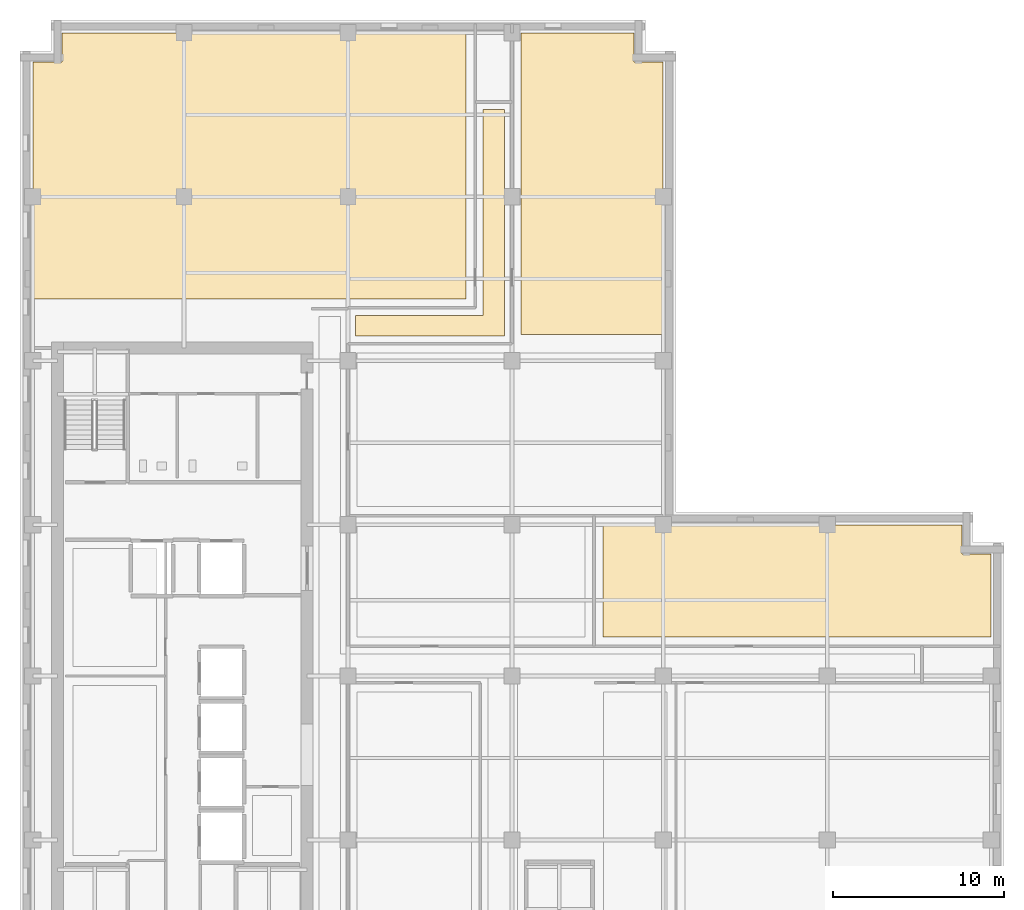
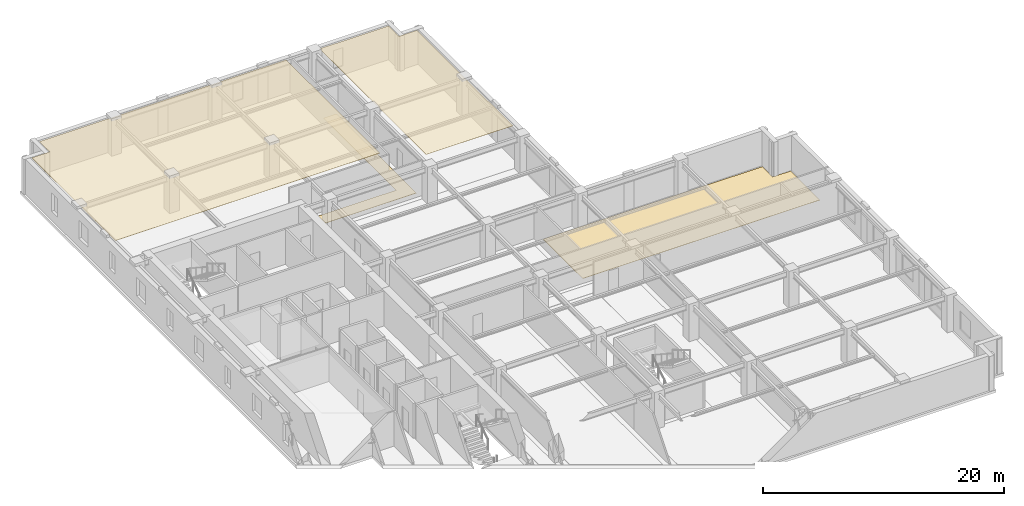
# One storey, part 11 of 12: 4 coverings.
"""IFC4 building model written with IfcOpenShell, lengths in metres."""

from ifc_helpers import new_model, si_unit, direction, frame, origin, place, context, subcontext, project, spatial, polyline, outline, extrude, material, layer, layer_set, type_object, element, save


model = new_model("IFC4")

# Units and contexts
model_context = context("Model", 3, precision=1e-05, world=origin(), true_north=direction((0.0, 1.0)))
body_context = subcontext(model_context, "Body", "Model", "MODEL_VIEW")
ifc_project = project(units=[si_unit("LENGTHUNIT", "METRE"), si_unit("AREAUNIT", "SQUARE_METRE"), si_unit("VOLUMEUNIT", "CUBIC_METRE"), si_unit("PLANEANGLEUNIT", "RADIAN"), si_unit("MASSUNIT", "GRAM", prefix="KILO")], contexts=[model_context])

# Site, building, storey
site_placement = place(None, origin())
site = spatial("IfcSite", under=ifc_project, at=site_placement, CompositionType="ELEMENT")
building_placement = place(site_placement, origin())
building = spatial("IfcBuilding", under=site, at=building_placement, Name="Norrvale University Quadrangle", CompositionType="ELEMENT")
storey_placement = place(building_placement, frame((0.0, 0.0, 186.39990234375)))
storey = spatial("IfcBuildingStorey", under=building, at=storey_placement, Name="L47", CompositionType="ELEMENT", Elevation=186.39990234375)

# Coverings
ifc_material_1 = material(Name="Perforated Acoustic Mineral Ceiling")
ifc_layer_1 = layer(ifc_material_1, 0.02490234375, Name="Perforated Acoustic Mineral Ceiling")
ifc_layer_set_1 = layer_set([ifc_layer_1], Name="Perforated Acoustic Mineral Ceiling")
covering_type_1 = type_object("IfcCoveringType", Name="Covering Acoustic Ceiling 25", PredefinedType="CEILING", material=ifc_layer_set_1)
covering_1_placement = place(storey_placement, frame((0.0, 0.0, 3.51513671875)))
element("IfcCovering", 1, at=covering_1_placement, inside=storey, type_object=covering_type_1, Name="Acoustic Ceiling RM-L47-NE01", PredefinedType="CEILING", context=body_context, shape_type="SweptSolid", body=[
    extrude(outline(polyline([(37.64990234375, 48.780029296875), (29.330078125, 48.780029296875), (29.330078125, 66.449951171875), (35.929931640625, 66.449951171875), (35.929931640625, 64.72998046875), (37.64990234375, 64.72998046875), (37.64990234375, 48.780029296875)])), origin(), (0.0, 0.0, 1.0), 0.02490234375),
])
covering_2_placement = place(storey_placement, frame((0.0, 0.0, 3.51513671875)))
element("IfcCovering", 2, at=covering_2_placement, inside=storey, type_object=covering_type_1, Name="Acoustic Ceiling RM-L47-NW01", PredefinedType="CEILING", context=body_context, shape_type="SweptSolid", body=[
    extrude(outline(polyline([(26.1201171875, 66.449951171875), (26.1201171875, 50.8798828125), (0.75, 50.8798828125), (0.75, 64.72998046875), (2.469970703125, 64.72998046875), (2.469970703125, 66.449951171875), (26.1201171875, 66.449951171875)])), origin(), (0.0, 0.0, 1.0), 0.02490234375),
])
ifc_material_2 = material(Name="Polished Terrazzo Flooring")
ifc_layer_2 = layer(ifc_material_2, 0.02490234375, Name="Polished Terrazzo Flooring")
ifc_layer_set_2 = layer_set([ifc_layer_2], Name="Polished Terrazzo Flooring")
covering_type_2 = type_object("IfcCoveringType", Name="Covering Terrazzo Floor 30", PredefinedType="FLOORING", material=ifc_layer_set_2)
covering_3_placement = place(storey_placement, origin())
element("IfcCovering", 3, at=covering_3_placement, inside=storey, type_object=covering_type_2, Name="Terrazzo Flooring RM-L47-ME02", PredefinedType="FLOORING", context=body_context, shape_type="SweptSolid", body=[
    extrude(outline(polyline([(56.85009765625, 31.080078125), (34.1298828125, 31.080078125), (34.1298828125, 37.64990234375), (55.1298828125, 37.64990234375), (55.1298828125, 35.929931640625), (56.85009765625, 35.929931640625), (56.85009765625, 31.080078125)])), origin(), (0.0, 0.0, 1.0), 0.025146484375),
])
covering_4_placement = place(storey_placement, origin())
element("IfcCovering", 4, at=covering_4_placement, inside=storey, type_object=covering_type_2, Name="Terrazzo Flooring RM-L47-NCJOG", PredefinedType="FLOORING", context=body_context, shape_type="SweptSolid", body=[
    extrude(outline(polyline([(19.64990234375, 48.699951171875), (19.64990234375, 49.89990234375), (27.10009765625, 49.89990234375), (27.10009765625, 61.949951171875), (28.35009765625, 61.949951171875), (28.35009765625, 48.699951171875), (19.64990234375, 48.699951171875)])), origin(), (0.0, 0.0, 1.0), 0.025146484375),
])

save(model, "model.ifc")
